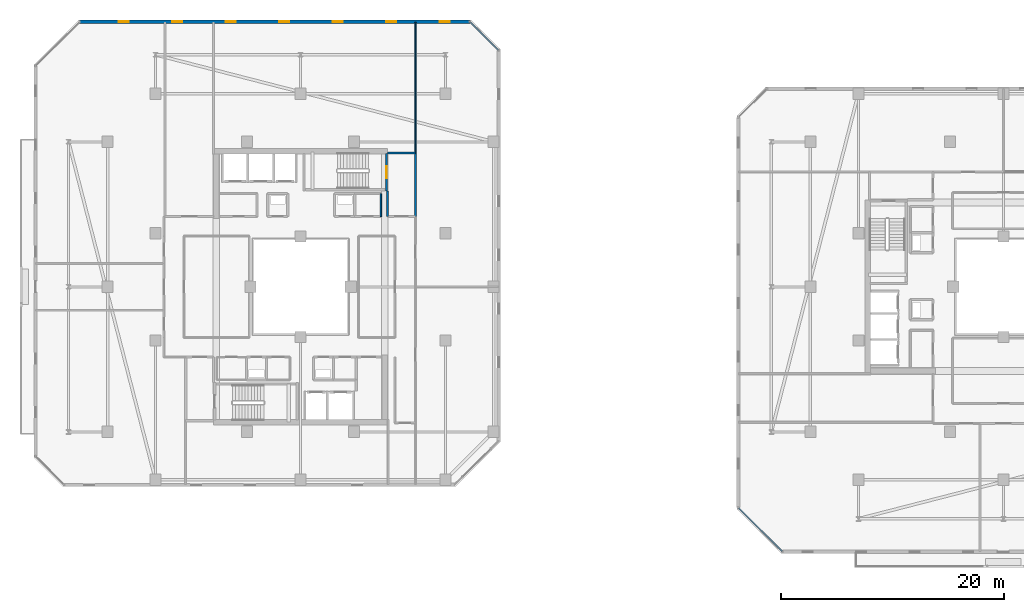
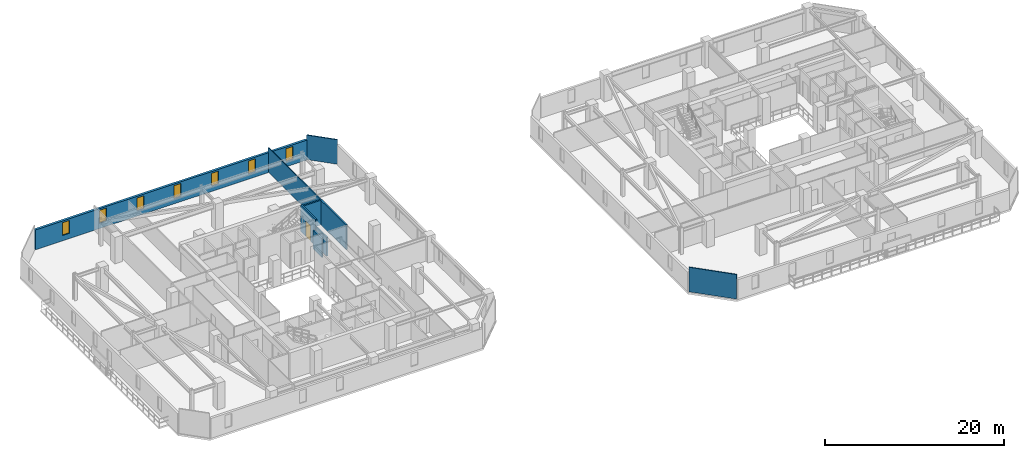
# One storey, part 22 of 33: 9 walls, 7 windows, 1 door, 8 openings.
"""IFC4 building model written with IfcOpenShell, lengths in metres."""

from ifc_helpers import new_model, si_unit, direction, frame, frame_2d, origin, place, context, subcontext, project, spatial, rectangle, extrude, material, layer, layer_set, type_object, element, fill, save


model = new_model("IFC4")

# Units and contexts
model_context = context("Model", 3, precision=1e-05, world=origin(), true_north=direction((0.0, 1.0)))
body_context = subcontext(model_context, "Body", "Model", "MODEL_VIEW")
ifc_project = project(units=[si_unit("LENGTHUNIT", "METRE"), si_unit("AREAUNIT", "SQUARE_METRE"), si_unit("VOLUMEUNIT", "CUBIC_METRE"), si_unit("PLANEANGLEUNIT", "RADIAN"), si_unit("MASSUNIT", "GRAM", prefix="KILO")], contexts=[model_context])

# Site, building, storey
site_placement = place(None, origin())
site = spatial("IfcSite", under=ifc_project, at=site_placement, CompositionType="ELEMENT")
building_placement = place(site_placement, origin())
building = spatial("IfcBuilding", under=site, at=building_placement, Name="Thornwick Lancets Civic Towers", CompositionType="ELEMENT")
storey_placement = place(building_placement, frame((0.0, 0.0, 203.699951171875)))
storey = spatial("IfcBuildingStorey", under=building, at=storey_placement, Name="L54", CompositionType="ELEMENT", Elevation=203.699951171875)

# Walls
ifc_material_1 = material(Name="Concrete blockwork C40/50", Category="masonry")
ifc_layer_1 = layer(ifc_material_1, 0.199951171875, Name="Concrete blockwork C40/50")
ifc_layer_set_1 = layer_set([ifc_layer_1], Name="Concrete blockwork C40/50")
wall_type_1 = type_object("IfcWallType", Name="WALL_COMP_200", PredefinedType="STANDARD", material=ifc_layer_set_1)
wall_1_placement = place(storey_placement, frame((35.800048828125, 33.300048828125, 0.0), z_axis=(0.0, 0.0, 1.0), x_axis=(0.0, 1.0, 0.0)))
element("IfcWall", 1, at=wall_1_placement, inside=storey, type_object=wall_type_1, Name="L54 Partition L54-A-FFLOB2 E2", PredefinedType="STANDARD", context=body_context, shape_type="SweptSolid", body=[
    extrude(rectangle(XDim=5.699951171875, YDim=0.199951171875, at=frame_2d((2.85009765625, 0.0))), origin(), (0.0, 0.0, 1.0), 3.340087890625),
])
wall_2_placement = place(storey_placement, frame((35.800048828125, 39.0, 0.0), z_axis=(0.0, 0.0, 1.0), x_axis=(-1.0, 0.0, 0.0)))
element("IfcWall", 2, at=wall_2_placement, inside=storey, type_object=wall_type_1, Name="L54 Partition L54-A-FFLOB2 E3", PredefinedType="STANDARD", context=body_context, shape_type="SweptSolid", body=[
    extrude(rectangle(XDim=2.5, YDim=0.199951171875, at=frame_2d((1.25, 0.0))), origin(), (0.0, 0.0, 1.0), 3.340087890625),
])
wall_3_placement = place(storey_placement, frame((33.300048828125, 35.60009765625, 0.0), z_axis=(0.0, 0.0, 1.0), x_axis=(0.0, -1.0, 0.0)))
element("IfcWall", 3, at=wall_3_placement, inside=storey, type_object=wall_type_1, Name="L54 Partition L54-A-FFLOB2 E4", PredefinedType="STANDARD", context=body_context, shape_type="SweptSolid", body=[
    extrude(rectangle(XDim=2.300048828125, YDim=0.199951171875, at=frame_2d((1.14990234375, 0.0))), origin(), (0.0, 0.0, 1.0), 2.545166015625),
])

# Wall, openings, windows
ifc_material_2 = material(Name="Insulated russet terracotta rainscreen on concrete C40/50", Category="masonry")
ifc_layer_2 = layer(ifc_material_2, 0.300048828125, Name="Insulated russet terracotta rainscreen on concrete C40/50")
ifc_layer_set_2 = layer_set([ifc_layer_2], Name="Insulated russet terracotta rainscreen on concrete C40/50")
wall_type_2 = type_object("IfcWallType", Name="WALL_EXT_RUSSET_300", PredefinedType="STANDARD", material=ifc_layer_set_2)
wall_4_placement = place(storey_placement, frame((40.681396484375, 50.7646484375, 0.0), z_axis=(0.0, 0.0, 1.0), x_axis=(-0.999999991209, -0.000132597301, 0.0)))
wall_4 = element("IfcWall", 4, at=wall_4_placement, inside=storey, type_object=wall_type_2, Name="L54 Tower A Terracotta Facade Wall E4", PredefinedType="STANDARD", context=body_context, shape_type="SweptSolid", body=[
    extrude(rectangle(XDim=34.983154296875, YDim=0.300048828125, at=frame_2d((17.49169921875, 0.0))), origin(), (0.0, 0.0, 1.0), 2.699951171875),
])
opening_1_placement = place(wall_4_placement, frame((1.800048828125, 0.0, 0.719970703125)))
opening_1 = element("IfcOpeningElement", 5, at=opening_1_placement, cuts=wall_4, Name="Opening WL-01", PredefinedType="OPENING", context=body_context, shape_type="SweptSolid", body=[
    extrude(rectangle(XDim=0.89990234375, YDim=1.75, at=frame_2d((0.449951171875, 0.875))), frame((0.0, 0.16015625, 0.0), z_axis=(0.0, -1.0, 0.0), x_axis=(1.0, 0.0, 0.0)), (0.0, 0.0, 1.0), 0.320068359375),
])
opening_2_placement = place(wall_4_placement, frame((6.60009765625, 0.0, 0.719970703125)))
opening_2 = element("IfcOpeningElement", 6, at=opening_2_placement, cuts=wall_4, Name="Opening WL-01", PredefinedType="OPENING", context=body_context, shape_type="SweptSolid", body=[
    extrude(rectangle(XDim=0.89990234375, YDim=1.75, at=frame_2d((0.449951171875, 0.875))), frame((0.0, 0.16015625, 0.0), z_axis=(0.0, -1.0, 0.0), x_axis=(1.0, 0.0, 0.0)), (0.0, 0.0, 1.0), 0.320068359375),
])
opening_3_placement = place(wall_4_placement, frame((11.39990234375, 0.0, 0.719970703125)))
opening_3 = element("IfcOpeningElement", 7, at=opening_3_placement, cuts=wall_4, Name="Opening WL-01", PredefinedType="OPENING", context=body_context, shape_type="SweptSolid", body=[
    extrude(rectangle(XDim=0.89990234375, YDim=1.75, at=frame_2d((0.449951171875, 0.875))), frame((0.0, 0.16015625, 0.0), z_axis=(0.0, -1.0, 0.0), x_axis=(1.0, 0.0, 0.0)), (0.0, 0.0, 1.0), 0.320068359375),
])
opening_4_placement = place(wall_4_placement, frame((16.199951171875, 0.0, 0.719970703125)))
opening_4 = element("IfcOpeningElement", 8, at=opening_4_placement, cuts=wall_4, Name="Opening WL-01", PredefinedType="OPENING", context=body_context, shape_type="SweptSolid", body=[
    extrude(rectangle(XDim=0.89990234375, YDim=1.75, at=frame_2d((0.449951171875, 0.875))), frame((0.0, 0.16015625, 0.0), z_axis=(0.0, -1.0, 0.0), x_axis=(1.0, 0.0, 0.0)), (0.0, 0.0, 1.0), 0.320068359375),
])
opening_5_placement = place(wall_4_placement, frame((21.0, 0.0, 0.719970703125)))
opening_5 = element("IfcOpeningElement", 9, at=opening_5_placement, cuts=wall_4, Name="Opening WL-01", PredefinedType="OPENING", context=body_context, shape_type="SweptSolid", body=[
    extrude(rectangle(XDim=0.89990234375, YDim=1.75, at=frame_2d((0.449951171875, 0.875))), frame((0.0, 0.16015625, 0.0), z_axis=(0.0, -1.0, 0.0), x_axis=(1.0, 0.0, 0.0)), (0.0, 0.0, 1.0), 0.320068359375),
])
opening_6_placement = place(wall_4_placement, frame((25.800048828125, 0.0, 0.719970703125)))
opening_6 = element("IfcOpeningElement", 10, at=opening_6_placement, cuts=wall_4, Name="Opening WL-01", PredefinedType="OPENING", context=body_context, shape_type="SweptSolid", body=[
    extrude(rectangle(XDim=0.89990234375, YDim=1.75, at=frame_2d((0.449951171875, 0.875))), frame((0.0, 0.16015625, 0.0), z_axis=(0.0, -1.0, 0.0), x_axis=(1.0, 0.0, 0.0)), (0.0, 0.0, 1.0), 0.320068359375),
])
opening_7_placement = place(wall_4_placement, frame((30.60009765625, 0.0, 0.719970703125)))
opening_7 = element("IfcOpeningElement", 11, at=opening_7_placement, cuts=wall_4, Name="Opening WL-01", PredefinedType="OPENING", context=body_context, shape_type="SweptSolid", body=[
    extrude(rectangle(XDim=0.89990234375, YDim=1.75, at=frame_2d((0.449951171875, 0.875))), frame((0.0, 0.16015625, 0.0), z_axis=(0.0, -1.0, 0.0), x_axis=(1.0, 0.0, 0.0)), (0.0, 0.0, 1.0), 0.320068359375),
])
ifc_material_3 = material(Name="Clear low-e double glazing in bronze frame", Category="glass")
window_type = type_object("IfcWindowType", Name="WIN_LANCET_900", PartitioningType="SINGLE_PANEL", PredefinedType="WINDOW", material=ifc_material_3)
window_1_placement = place(opening_1_placement, origin())
window_1 = element("IfcWindow", 12, at=window_1_placement, inside=storey, type_object=window_type, Name="L54 Tower A Staggered Lancet Window E4-1", OverallHeight=1.75, OverallWidth=0.89990234375, PartitioningType="SINGLE_PANEL", PredefinedType="WINDOW", context=body_context, shape_type="SweptSolid", body=[
    extrude(rectangle(XDim=0.89990234375, YDim=1.75, at=frame_2d((0.449951171875, 0.875))), frame((0.0, 0.030029296875, 0.0), z_axis=(0.0, -1.0, 0.0), x_axis=(1.0, 0.0, 0.0)), (0.0, 0.0, 1.0), 0.06005859375),
])
fill(opening_1, window_1)
window_2_placement = place(opening_2_placement, origin())
window_2 = element("IfcWindow", 13, at=window_2_placement, inside=storey, type_object=window_type, Name="L54 Tower A Staggered Lancet Window E4-2", OverallHeight=1.75, OverallWidth=0.89990234375, PartitioningType="SINGLE_PANEL", PredefinedType="WINDOW", context=body_context, shape_type="SweptSolid", body=[
    extrude(rectangle(XDim=0.89990234375, YDim=1.75, at=frame_2d((0.449951171875, 0.875))), frame((0.0, 0.030029296875, 0.0), z_axis=(0.0, -1.0, 0.0), x_axis=(1.0, 0.0, 0.0)), (0.0, 0.0, 1.0), 0.06005859375),
])
fill(opening_2, window_2)
window_3_placement = place(opening_3_placement, origin())
window_3 = element("IfcWindow", 14, at=window_3_placement, inside=storey, type_object=window_type, Name="L54 Tower A Staggered Lancet Window E4-3", OverallHeight=1.75, OverallWidth=0.89990234375, PartitioningType="SINGLE_PANEL", PredefinedType="WINDOW", context=body_context, shape_type="SweptSolid", body=[
    extrude(rectangle(XDim=0.89990234375, YDim=1.75, at=frame_2d((0.449951171875, 0.875))), frame((0.0, 0.030029296875, 0.0), z_axis=(0.0, -1.0, 0.0), x_axis=(1.0, 0.0, 0.0)), (0.0, 0.0, 1.0), 0.06005859375),
])
fill(opening_3, window_3)
window_4_placement = place(opening_4_placement, origin())
window_4 = element("IfcWindow", 15, at=window_4_placement, inside=storey, type_object=window_type, Name="L54 Tower A Staggered Lancet Window E4-4", OverallHeight=1.75, OverallWidth=0.89990234375, PartitioningType="SINGLE_PANEL", PredefinedType="WINDOW", context=body_context, shape_type="SweptSolid", body=[
    extrude(rectangle(XDim=0.89990234375, YDim=1.75, at=frame_2d((0.449951171875, 0.875))), frame((0.0, 0.030029296875, 0.0), z_axis=(0.0, -1.0, 0.0), x_axis=(1.0, 0.0, 0.0)), (0.0, 0.0, 1.0), 0.06005859375),
])
fill(opening_4, window_4)
window_5_placement = place(opening_5_placement, origin())
window_5 = element("IfcWindow", 16, at=window_5_placement, inside=storey, type_object=window_type, Name="L54 Tower A Staggered Lancet Window E4-5", OverallHeight=1.75, OverallWidth=0.89990234375, PartitioningType="SINGLE_PANEL", PredefinedType="WINDOW", context=body_context, shape_type="SweptSolid", body=[
    extrude(rectangle(XDim=0.89990234375, YDim=1.75, at=frame_2d((0.449951171875, 0.875))), frame((0.0, 0.030029296875, 0.0), z_axis=(0.0, -1.0, 0.0), x_axis=(1.0, 0.0, 0.0)), (0.0, 0.0, 1.0), 0.06005859375),
])
fill(opening_5, window_5)
window_6_placement = place(opening_6_placement, origin())
window_6 = element("IfcWindow", 17, at=window_6_placement, inside=storey, type_object=window_type, Name="L54 Tower A Staggered Lancet Window E4-6", OverallHeight=1.75, OverallWidth=0.89990234375, PartitioningType="SINGLE_PANEL", PredefinedType="WINDOW", context=body_context, shape_type="SweptSolid", body=[
    extrude(rectangle(XDim=0.89990234375, YDim=1.75, at=frame_2d((0.449951171875, 0.875))), frame((0.0, 0.030029296875, 0.0), z_axis=(0.0, -1.0, 0.0), x_axis=(1.0, 0.0, 0.0)), (0.0, 0.0, 1.0), 0.06005859375),
])
fill(opening_6, window_6)
window_7_placement = place(opening_7_placement, origin())
window_7 = element("IfcWindow", 18, at=window_7_placement, inside=storey, type_object=window_type, Name="L54 Tower A Staggered Lancet Window E4-7", OverallHeight=1.75, OverallWidth=0.89990234375, PartitioningType="SINGLE_PANEL", PredefinedType="WINDOW", context=body_context, shape_type="SweptSolid", body=[
    extrude(rectangle(XDim=0.89990234375, YDim=1.75, at=frame_2d((0.449951171875, 0.875))), frame((0.0, 0.030029296875, 0.0), z_axis=(0.0, -1.0, 0.0), x_axis=(1.0, 0.0, 0.0)), (0.0, 0.0, 1.0), 0.06005859375),
])
fill(opening_7, window_7)

# Walls
ifc_material_4 = material(Name="Acoustic gypsum board partition")
ifc_layer_3 = layer(ifc_material_4, 0.1201171875, Name="Acoustic gypsum board partition")
ifc_layer_set_3 = layer_set([ifc_layer_3], Name="Acoustic gypsum board partition")
wall_type_3 = type_object("IfcWallType", Name="WALL_PART_120", PredefinedType="PARTITIONING", material=ifc_layer_set_3)
wall_5_placement = place(storey_placement, frame((35.800048828125, 39.0, 0.0), z_axis=(0.0, 0.0, 1.0), x_axis=(0.0, 1.0, 0.0)))
element("IfcWall", 19, at=wall_5_placement, inside=storey, type_object=wall_type_3, Name="L54 Partition L54-A-E2 E2", PredefinedType="PARTITIONING", context=body_context, shape_type="SweptSolid", body=[
    extrude(rectangle(XDim=11.719970703125, YDim=0.1201171875, at=frame_2d((5.85986328125, 0.0))), origin(), (0.0, 0.0, 1.0), 3.340087890625),
])
wall_6_placement = place(storey_placement, frame((40.725341796875, 50.719970703125, 0.0), z_axis=(0.0, 0.0, 1.0), x_axis=(0.707106781187, -0.707106781187, 0.0)))
element("IfcWall", 20, at=wall_6_placement, inside=storey, type_object=wall_type_3, Name="L54 Partition L54-A-E2 E4", PredefinedType="PARTITIONING", context=body_context, shape_type="SweptSolid", body=[
    extrude(rectangle(XDim=3.52783203125, YDim=0.1201171875, at=frame_2d((1.763916015625, 0.0))), origin(), (0.0, 0.0, 1.0), 3.340087890625),
])
wall_7_placement = place(storey_placement, frame((68.65966796875, 3.280029296875, 0.0), z_axis=(0.0, 0.0, 1.0), x_axis=(-0.707106781187, 0.707106781187, 0.0)))
element("IfcWall", 21, at=wall_7_placement, inside=storey, type_object=wall_type_3, Name="L54 Partition L54-B-W2B E2", PredefinedType="PARTITIONING", context=body_context, shape_type="SweptSolid", body=[
    extrude(rectangle(XDim=5.486572265625, YDim=0.1201171875, at=frame_2d((2.7431640625, 0.0))), origin(), (0.0, 0.0, 1.0), 3.340087890625),
])
ifc_material_5 = material(Name="Twin-stud acoustic gypsum board")
ifc_layer_4 = layer(ifc_material_5, 0.14990234375, Name="Twin-stud acoustic gypsum board")
ifc_layer_set_4 = layer_set([ifc_layer_4], Name="Twin-stud acoustic gypsum board")
wall_type_4 = type_object("IfcWallType", Name="WALL_PART_150", PredefinedType="PARTITIONING", material=ifc_layer_set_4)
wall_8_placement = place(storey_placement, frame((32.699951171875, 35.35009765625, 0.0), z_axis=(0.0, 0.0, 1.0), x_axis=(0.0, -1.0, 0.0)))
element("IfcWall", 22, at=wall_8_placement, inside=storey, type_object=wall_type_4, Name="L54 Partition L54-A-FWC E1", PredefinedType="PARTITIONING", context=body_context, shape_type="SweptSolid", body=[
    extrude(rectangle(XDim=2.050048828125, YDim=0.14990234375, at=frame_2d((1.02490234375, 0.0))), origin(), (0.0, 0.0, 1.0), 2.545166015625),
])

# Wall, opening, door
ifc_material_6 = material(Name="Concrete C40/50", Category="concrete")
ifc_layer_5 = layer(ifc_material_6, 0.199951171875, Name="Concrete C40/50")
ifc_layer_set_5 = layer_set([ifc_layer_5], Name="Concrete C40/50")
wall_type_5 = type_object("IfcWallType", Name="WALL_SHAFT_200", PredefinedType="SHEAR", material=ifc_layer_set_5)
wall_9_placement = place(storey_placement, frame((33.199951171875, 38.949951171875, 0.0), z_axis=(0.0, 0.0, 1.0), x_axis=(0.0, -1.0, 0.0)))
wall_9 = element("IfcWall", 23, at=wall_9_placement, inside=storey, type_object=wall_type_5, Name="L54 ST-A2 Fire Stair Core Wall NEAR", PredefinedType="SHEAR", context=body_context, shape_type="SweptSolid", body=[
    extrude(rectangle(XDim=3.349853515625, YDim=0.199951171875, at=frame_2d((1.6748046875, 0.0))), origin(), (0.0, 0.0, 1.0), 3.60009765625),
])
opening_8_placement = place(wall_9_placement, frame((1.125, 0.0, 0.0)))
opening_8 = element("IfcOpeningElement", 24, at=opening_8_placement, cuts=wall_9, Name="Opening D-ST-A2-L54", PredefinedType="OPENING", context=body_context, shape_type="SweptSolid", body=[
    extrude(rectangle(XDim=1.10009765625, YDim=2.10009765625, at=frame_2d((0.550048828125, 1.050048828125))), frame((0.0, 0.10986328125, 0.0), z_axis=(0.0, -1.0, 0.0), x_axis=(1.0, 0.0, 0.0)), (0.0, 0.0, 1.0), 0.219970703125),
])
ifc_material_7 = material(Name="Fire-resisting steel and hardwood", Category="steel")
door_type = type_object("IfcDoorType", Name="DOOR_STAIR_FD60", OperationType="NOTDEFINED", PredefinedType="DOOR", material=ifc_material_7)
door_placement = place(opening_8_placement, origin())
door = element("IfcDoor", 25, at=door_placement, inside=storey, type_object=door_type, Name="L54 ST-A2 Exit Stair Door", OperationType="SINGLE_SWING_LEFT", OverallHeight=2.10009765625, OverallWidth=1.10009765625, PredefinedType="DOOR", context=body_context, shape_type="SweptSolid", body=[
    extrude(rectangle(XDim=1.10009765625, YDim=2.10009765625, at=frame_2d((0.550048828125, 1.050048828125))), frame((0.0, 0.02490234375, 0.0), z_axis=(0.0, -1.0, 0.0), x_axis=(1.0, 0.0, 0.0)), (0.0, 0.0, 1.0), 0.050048828125),
])
fill(opening_8, door)

save(model, "model.ifc")
